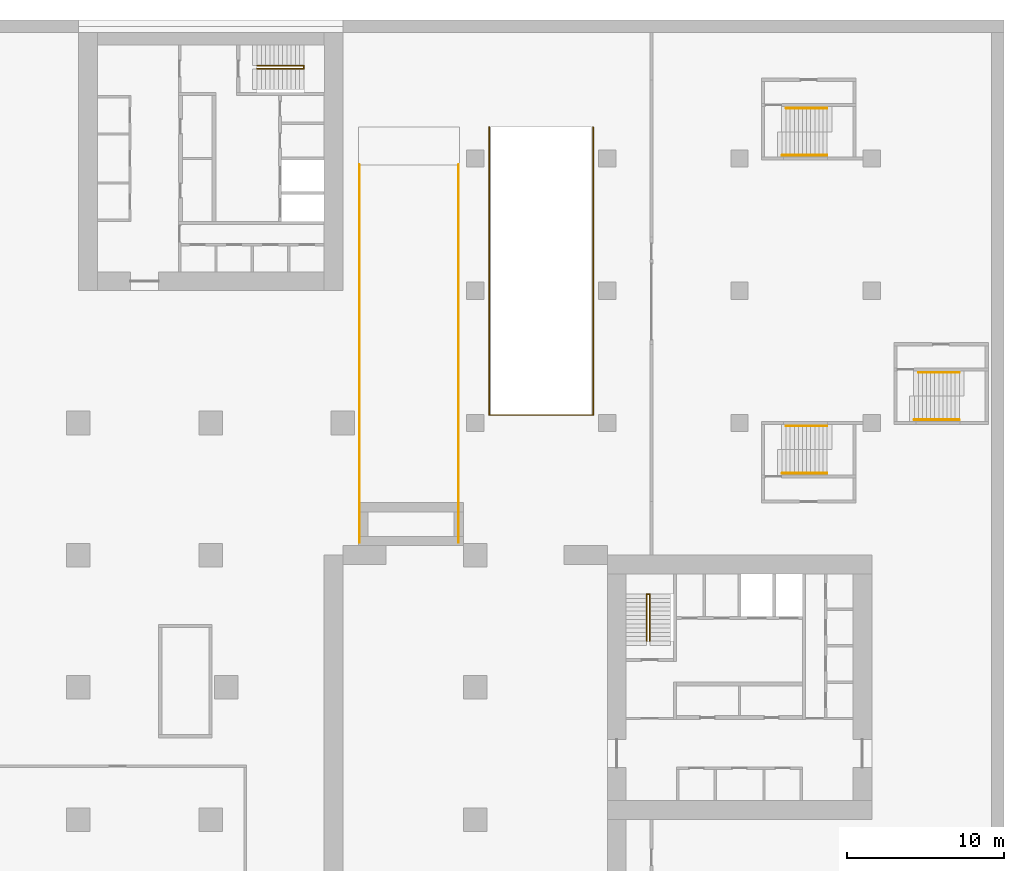
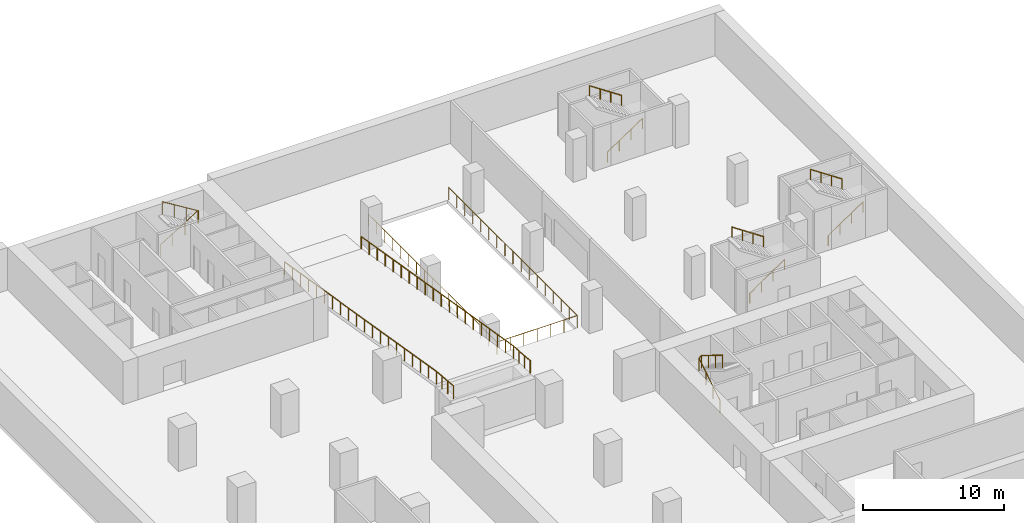
# One storey, part 7 of 7: 13 railings.
"""IFC4 building model written with IfcOpenShell, lengths in metres."""

from ifc_helpers import new_model, si_unit, direction, frame, origin, origin_2d, place, context, subcontext, project, spatial, circle, extrude, material, type_object, element, save


model = new_model("IFC4")

# Units and contexts
model_context = context("Model", 3, precision=1e-05, world=origin(), true_north=direction((0.0, 1.0)))
body_context = subcontext(model_context, "Body", "Model", "MODEL_VIEW")
ifc_project = project(units=[si_unit("LENGTHUNIT", "METRE"), si_unit("AREAUNIT", "SQUARE_METRE"), si_unit("VOLUMEUNIT", "CUBIC_METRE"), si_unit("PLANEANGLEUNIT", "RADIAN"), si_unit("MASSUNIT", "GRAM", prefix="KILO")], contexts=[model_context])

# Site, building, storey
site_placement = place(None, origin())
site = spatial("IfcSite", under=ifc_project, at=site_placement, CompositionType="ELEMENT")
building_placement = place(site_placement, origin())
building = spatial("IfcBuilding", under=site, at=building_placement, Name="Vermilion Gate Residences", CompositionType="ELEMENT")
storey_placement = place(building_placement, frame((0.0, 0.0, -12.0)))
storey = spatial("IfcBuildingStorey", under=building, at=storey_placement, Name="B3", CompositionType="ELEMENT", Elevation=-12.0)

# Railings
ifc_material_1 = material(Name="Steel", Category="steel")
railing_type_1 = type_object("IfcRailingType", Name="RAMP GUARD 1100 (AMENITY)", PredefinedType="GUARDRAIL", material=ifc_material_1)
for number, where, name in (
    (1, (26.25, 26.0, 4.0), "Ramp 3 guard west"),
    (2, (32.550048828125, 26.0, 4.0), "Ramp 3 guard east"),
):
    element("IfcRailing", number, at=place(storey_placement, frame(where)), inside=storey, type_object=railing_type_1, Name=name, PredefinedType="GUARDRAIL", context=body_context, shape_type="SweptSolid", body=[
        extrude(circle(Radius=0.02392578125, at=origin_2d()), frame((0.0, 0.0, 1.076171875), z_axis=(0.0, 0.996547156423, -0.083028700011), x_axis=(-1.0, 0.0, 0.0)), (0.0, 0.0, 1.0), 2.408203125),
        extrude(circle(Radius=0.02099609375, at=origin_2d()), origin(), (0.0, 0.0, 1.0), 1.052001953125),
        extrude(circle(Radius=0.02099609375, at=origin_2d()), frame((0.0, 0.800048828125, -0.066650390625)), (0.0, 0.0, 1.0), 1.052001953125),
        extrude(circle(Radius=0.02099609375, at=origin_2d()), frame((0.0, 1.599853515625, -0.13330078125)), (0.0, 0.0, 1.0), 1.052001953125),
        extrude(circle(Radius=0.02099609375, at=origin_2d()), frame((0.0, 2.39990234375, -0.199951171875)), (0.0, 0.0, 1.0), 1.052001953125),
    ])
railing_1_placement = place(storey_placement, frame((26.25, 28.39990234375, 3.800048828125)))
element("IfcRailing", 3, at=railing_1_placement, inside=storey, type_object=railing_type_1, Name="Ramp 3 guard west", PredefinedType="GUARDRAIL", context=body_context, shape_type="SweptSolid", body=[
    extrude(circle(Radius=0.02392578125, at=origin_2d()), frame((0.0, 0.0, 1.076171875), z_axis=(0.0, 0.986393321179, -0.164402603184), x_axis=(-1.0, 0.0, 0.0)), (0.0, 0.0, 1.0), 21.89794921875),
    extrude(circle(Radius=0.02099609375, at=origin_2d()), origin(), (0.0, 0.0, 1.0), 1.052001953125),
    extrude(circle(Radius=0.02099609375, at=origin_2d()), frame((0.0, 1.136962890625, -0.189453125)), (0.0, 0.0, 1.0), 1.052001953125),
    extrude(circle(Radius=0.02099609375, at=origin_2d()), frame((0.0, 2.273681640625, -0.37890625)), (0.0, 0.0, 1.0), 1.052001953125),
    extrude(circle(Radius=0.02099609375, at=origin_2d()), frame((0.0, 3.41064453125, -0.568359375)), (0.0, 0.0, 1.0), 1.052001953125),
    extrude(circle(Radius=0.02099609375, at=origin_2d()), frame((0.0, 4.54736328125, -0.7578125)), (0.0, 0.0, 1.0), 1.052001953125),
    extrude(circle(Radius=0.02099609375, at=origin_2d()), frame((0.0, 5.684326171875, -0.947509765625)), (0.0, 0.0, 1.0), 1.052001953125),
    extrude(circle(Radius=0.02099609375, at=origin_2d()), frame((0.0, 6.821044921875, -1.136962890625)), (0.0, 0.0, 1.0), 1.052001953125),
    extrude(circle(Radius=0.02099609375, at=origin_2d()), frame((0.0, 7.9580078125, -1.326416015625)), (0.0, 0.0, 1.0), 1.052001953125),
    extrude(circle(Radius=0.02099609375, at=origin_2d()), frame((0.0, 9.0947265625, -1.515869140625)), (0.0, 0.0, 1.0), 1.052001953125),
    extrude(circle(Radius=0.02099609375, at=origin_2d()), frame((0.0, 10.231689453125, -1.705322265625)), (0.0, 0.0, 1.0), 1.052001953125),
    extrude(circle(Radius=0.02099609375, at=origin_2d()), frame((0.0, 11.368408203125, -1.894775390625)), (0.0, 0.0, 1.0), 1.052001953125),
    extrude(circle(Radius=0.02099609375, at=origin_2d()), frame((0.0, 12.50537109375, -2.084228515625)), (0.0, 0.0, 1.0), 1.052001953125),
    extrude(circle(Radius=0.02099609375, at=origin_2d()), frame((0.0, 13.64208984375, -2.273681640625)), (0.0, 0.0, 1.0), 1.052001953125),
    extrude(circle(Radius=0.02099609375, at=origin_2d()), frame((0.0, 14.779052734375, -2.463134765625)), (0.0, 0.0, 1.0), 1.052001953125),
    extrude(circle(Radius=0.02099609375, at=origin_2d()), frame((0.0, 15.915771484375, -2.652587890625)), (0.0, 0.0, 1.0), 1.052001953125),
    extrude(circle(Radius=0.02099609375, at=origin_2d()), frame((0.0, 17.052734375, -2.84228515625)), (0.0, 0.0, 1.0), 1.052001953125),
    extrude(circle(Radius=0.02099609375, at=origin_2d()), frame((0.0, 18.189453125, -3.03173828125)), (0.0, 0.0, 1.0), 1.052001953125),
    extrude(circle(Radius=0.02099609375, at=origin_2d()), frame((0.0, 19.326416015625, -3.22119140625)), (0.0, 0.0, 1.0), 1.052001953125),
    extrude(circle(Radius=0.02099609375, at=origin_2d()), frame((0.0, 20.463134765625, -3.41064453125)), (0.0, 0.0, 1.0), 1.052001953125),
    extrude(circle(Radius=0.02099609375, at=origin_2d()), frame((0.0, 21.60009765625, -3.60009765625)), (0.0, 0.0, 1.0), 1.052001953125),
])
railing_2_placement = place(storey_placement, frame((32.550048828125, 28.39990234375, 3.800048828125)))
element("IfcRailing", 4, at=railing_2_placement, inside=storey, type_object=railing_type_1, Name="Ramp 3 guard east", PredefinedType="GUARDRAIL", context=body_context, shape_type="SweptSolid", body=[
    extrude(circle(Radius=0.02392578125, at=origin_2d()), frame((0.0, 0.0, 1.076171875), z_axis=(0.0, 0.986393321179, -0.164402603184), x_axis=(-1.0, 0.0, 0.0)), (0.0, 0.0, 1.0), 21.89794921875),
    extrude(circle(Radius=0.02099609375, at=origin_2d()), origin(), (0.0, 0.0, 1.0), 1.052001953125),
    extrude(circle(Radius=0.02099609375, at=origin_2d()), frame((0.0, 1.136962890625, -0.189453125)), (0.0, 0.0, 1.0), 1.052001953125),
    extrude(circle(Radius=0.02099609375, at=origin_2d()), frame((0.0, 2.273681640625, -0.37890625)), (0.0, 0.0, 1.0), 1.052001953125),
    extrude(circle(Radius=0.02099609375, at=origin_2d()), frame((0.0, 3.41064453125, -0.568359375)), (0.0, 0.0, 1.0), 1.052001953125),
    extrude(circle(Radius=0.02099609375, at=origin_2d()), frame((0.0, 4.54736328125, -0.7578125)), (0.0, 0.0, 1.0), 1.052001953125),
    extrude(circle(Radius=0.02099609375, at=origin_2d()), frame((0.0, 5.684326171875, -0.947509765625)), (0.0, 0.0, 1.0), 1.052001953125),
    extrude(circle(Radius=0.02099609375, at=origin_2d()), frame((0.0, 6.821044921875, -1.136962890625)), (0.0, 0.0, 1.0), 1.052001953125),
    extrude(circle(Radius=0.02099609375, at=origin_2d()), frame((0.0, 7.9580078125, -1.326416015625)), (0.0, 0.0, 1.0), 1.052001953125),
    extrude(circle(Radius=0.02099609375, at=origin_2d()), frame((0.0, 9.0947265625, -1.515869140625)), (0.0, 0.0, 1.0), 1.052001953125),
    extrude(circle(Radius=0.02099609375, at=origin_2d()), frame((0.0, 10.231689453125, -1.705322265625)), (0.0, 0.0, 1.0), 1.052001953125),
    extrude(circle(Radius=0.02099609375, at=origin_2d()), frame((0.0, 11.368408203125, -1.894775390625)), (0.0, 0.0, 1.0), 1.052001953125),
    extrude(circle(Radius=0.02099609375, at=origin_2d()), frame((0.0, 12.50537109375, -2.084228515625)), (0.0, 0.0, 1.0), 1.052001953125),
    extrude(circle(Radius=0.02099609375, at=origin_2d()), frame((0.0, 13.64208984375, -2.273681640625)), (0.0, 0.0, 1.0), 1.052001953125),
    extrude(circle(Radius=0.02099609375, at=origin_2d()), frame((0.0, 14.779052734375, -2.463134765625)), (0.0, 0.0, 1.0), 1.052001953125),
    extrude(circle(Radius=0.02099609375, at=origin_2d()), frame((0.0, 15.915771484375, -2.652587890625)), (0.0, 0.0, 1.0), 1.052001953125),
    extrude(circle(Radius=0.02099609375, at=origin_2d()), frame((0.0, 17.052734375, -2.84228515625)), (0.0, 0.0, 1.0), 1.052001953125),
    extrude(circle(Radius=0.02099609375, at=origin_2d()), frame((0.0, 18.189453125, -3.03173828125)), (0.0, 0.0, 1.0), 1.052001953125),
    extrude(circle(Radius=0.02099609375, at=origin_2d()), frame((0.0, 19.326416015625, -3.22119140625)), (0.0, 0.0, 1.0), 1.052001953125),
    extrude(circle(Radius=0.02099609375, at=origin_2d()), frame((0.0, 20.463134765625, -3.41064453125)), (0.0, 0.0, 1.0), 1.052001953125),
    extrude(circle(Radius=0.02099609375, at=origin_2d()), frame((0.0, 21.60009765625, -3.60009765625)), (0.0, 0.0, 1.0), 1.052001953125),
])
railing_3_placement = place(storey_placement, frame((34.5, 52.39990234375, 0.0)))
element("IfcRailing", 5, at=railing_3_placement, inside=storey, type_object=railing_type_1, Name="Ramp 4 opening guard", PredefinedType="GUARDRAIL", context=body_context, shape_type="SweptSolid", body=[
    extrude(circle(Radius=0.02392578125, at=origin_2d()), frame((0.0, 0.0, 1.076171875), z_axis=(0.0, -1.0, 0.0), x_axis=(1.0, 0.0, 0.0)), (0.0, 0.0, 1.0), 18.2998046875),
    extrude(circle(Radius=0.02392578125, at=origin_2d()), frame((0.0, -18.2998046875, 1.076171875), z_axis=(1.0, 0.0, 0.0), x_axis=(0.0, 1.0, 0.0)), (0.0, 0.0, 1.0), 6.60009765625),
    extrude(circle(Radius=0.02392578125, at=origin_2d()), frame((6.60009765625, -18.2998046875, 1.076171875), z_axis=(0.0, 1.0, 0.0), x_axis=(-1.0, 0.0, 0.0)), (0.0, 0.0, 1.0), 18.2998046875),
    extrude(circle(Radius=0.02099609375, at=origin_2d()), origin(), (0.0, 0.0, 1.0), 1.052001953125),
    extrude(circle(Radius=0.02099609375, at=origin_2d()), frame((0.0, -1.143798828125, 0.0)), (0.0, 0.0, 1.0), 1.052001953125),
    extrude(circle(Radius=0.02099609375, at=origin_2d()), frame((0.0, -2.28759765625, 0.0)), (0.0, 0.0, 1.0), 1.052001953125),
    extrude(circle(Radius=0.02099609375, at=origin_2d()), frame((0.0, -3.43115234375, 0.0)), (0.0, 0.0, 1.0), 1.052001953125),
    extrude(circle(Radius=0.02099609375, at=origin_2d()), frame((0.0, -4.574951171875, 0.0)), (0.0, 0.0, 1.0), 1.052001953125),
    extrude(circle(Radius=0.02099609375, at=origin_2d()), frame((0.0, -5.71875, 0.0)), (0.0, 0.0, 1.0), 1.052001953125),
    extrude(circle(Radius=0.02099609375, at=origin_2d()), frame((0.0, -6.8623046875, 0.0)), (0.0, 0.0, 1.0), 1.052001953125),
    extrude(circle(Radius=0.02099609375, at=origin_2d()), frame((0.0, -8.006103515625, 0.0)), (0.0, 0.0, 1.0), 1.052001953125),
    extrude(circle(Radius=0.02099609375, at=origin_2d()), frame((0.0, -9.14990234375, 0.0)), (0.0, 0.0, 1.0), 1.052001953125),
    extrude(circle(Radius=0.02099609375, at=origin_2d()), frame((0.0, -10.293701171875, 0.0)), (0.0, 0.0, 1.0), 1.052001953125),
    extrude(circle(Radius=0.02099609375, at=origin_2d()), frame((0.0, -11.4375, 0.0)), (0.0, 0.0, 1.0), 1.052001953125),
    extrude(circle(Radius=0.02099609375, at=origin_2d()), frame((0.0, -12.5810546875, 0.0)), (0.0, 0.0, 1.0), 1.052001953125),
    extrude(circle(Radius=0.02099609375, at=origin_2d()), frame((0.0, -13.724853515625, 0.0)), (0.0, 0.0, 1.0), 1.052001953125),
    extrude(circle(Radius=0.02099609375, at=origin_2d()), frame((0.0, -14.86865234375, 0.0)), (0.0, 0.0, 1.0), 1.052001953125),
    extrude(circle(Radius=0.02099609375, at=origin_2d()), frame((0.0, -16.01220703125, 0.0)), (0.0, 0.0, 1.0), 1.052001953125),
    extrude(circle(Radius=0.02099609375, at=origin_2d()), frame((0.0, -17.156005859375, 0.0)), (0.0, 0.0, 1.0), 1.052001953125),
    extrude(circle(Radius=0.02099609375, at=origin_2d()), frame((0.0, -18.2998046875, 0.0)), (0.0, 0.0, 1.0), 1.052001953125),
    extrude(circle(Radius=0.02099609375, at=origin_2d()), frame((1.10009765625, -18.2998046875, 0.0)), (0.0, 0.0, 1.0), 1.052001953125),
    extrude(circle(Radius=0.02099609375, at=origin_2d()), frame((2.199951171875, -18.2998046875, 0.0)), (0.0, 0.0, 1.0), 1.052001953125),
    extrude(circle(Radius=0.02099609375, at=origin_2d()), frame((3.300048828125, -18.2998046875, 0.0)), (0.0, 0.0, 1.0), 1.052001953125),
    extrude(circle(Radius=0.02099609375, at=origin_2d()), frame((4.400146484375, -18.2998046875, 0.0)), (0.0, 0.0, 1.0), 1.052001953125),
    extrude(circle(Radius=0.02099609375, at=origin_2d()), frame((5.5, -18.2998046875, 0.0)), (0.0, 0.0, 1.0), 1.052001953125),
    extrude(circle(Radius=0.02099609375, at=origin_2d()), frame((6.60009765625, -18.2998046875, 0.0)), (0.0, 0.0, 1.0), 1.052001953125),
    extrude(circle(Radius=0.02099609375, at=origin_2d()), frame((6.60009765625, -17.156005859375, 0.0)), (0.0, 0.0, 1.0), 1.052001953125),
    extrude(circle(Radius=0.02099609375, at=origin_2d()), frame((6.60009765625, -16.01220703125, 0.0)), (0.0, 0.0, 1.0), 1.052001953125),
    extrude(circle(Radius=0.02099609375, at=origin_2d()), frame((6.60009765625, -14.86865234375, 0.0)), (0.0, 0.0, 1.0), 1.052001953125),
    extrude(circle(Radius=0.02099609375, at=origin_2d()), frame((6.60009765625, -13.724853515625, 0.0)), (0.0, 0.0, 1.0), 1.052001953125),
    extrude(circle(Radius=0.02099609375, at=origin_2d()), frame((6.60009765625, -12.5810546875, 0.0)), (0.0, 0.0, 1.0), 1.052001953125),
    extrude(circle(Radius=0.02099609375, at=origin_2d()), frame((6.60009765625, -11.4375, 0.0)), (0.0, 0.0, 1.0), 1.052001953125),
    extrude(circle(Radius=0.02099609375, at=origin_2d()), frame((6.60009765625, -10.293701171875, 0.0)), (0.0, 0.0, 1.0), 1.052001953125),
    extrude(circle(Radius=0.02099609375, at=origin_2d()), frame((6.60009765625, -9.14990234375, 0.0)), (0.0, 0.0, 1.0), 1.052001953125),
    extrude(circle(Radius=0.02099609375, at=origin_2d()), frame((6.60009765625, -8.006103515625, 0.0)), (0.0, 0.0, 1.0), 1.052001953125),
    extrude(circle(Radius=0.02099609375, at=origin_2d()), frame((6.60009765625, -6.8623046875, 0.0)), (0.0, 0.0, 1.0), 1.052001953125),
    extrude(circle(Radius=0.02099609375, at=origin_2d()), frame((6.60009765625, -5.71875, 0.0)), (0.0, 0.0, 1.0), 1.052001953125),
    extrude(circle(Radius=0.02099609375, at=origin_2d()), frame((6.60009765625, -4.574951171875, 0.0)), (0.0, 0.0, 1.0), 1.052001953125),
    extrude(circle(Radius=0.02099609375, at=origin_2d()), frame((6.60009765625, -3.43115234375, 0.0)), (0.0, 0.0, 1.0), 1.052001953125),
    extrude(circle(Radius=0.02099609375, at=origin_2d()), frame((6.60009765625, -2.28759765625, 0.0)), (0.0, 0.0, 1.0), 1.052001953125),
    extrude(circle(Radius=0.02099609375, at=origin_2d()), frame((6.60009765625, -1.143798828125, 0.0)), (0.0, 0.0, 1.0), 1.052001953125),
    extrude(circle(Radius=0.02099609375, at=origin_2d()), frame((6.60009765625, 0.0, 0.0)), (0.0, 0.0, 1.0), 1.052001953125),
])
ifc_material_2 = material(Name="Steel S355", Category="steel")
railing_type_2 = type_object("IfcRailingType", Name="STAIR GUARD 1100 STEEL", PredefinedType="GUARDRAIL", material=ifc_material_2)
railing_4_placement = place(storey_placement, frame((44.5, 19.75, 0.166748046875)))
element("IfcRailing", 6, at=railing_4_placement, inside=storey, type_object=railing_type_2, Name="Stair well guard STA1-B3", PredefinedType="GUARDRAIL", context=body_context, shape_type="SweptSolid", body=[
    extrude(circle(Radius=0.02392578125, at=origin_2d()), frame((0.0, 0.0, 1.076171875), z_axis=(0.0, 0.85094421596, 0.525256072145), x_axis=(-1.0, 0.0, 0.0)), (0.0, 0.0, 1.0), 3.490234375),
    extrude(circle(Radius=0.02392578125, at=origin_2d()), frame((0.0, 2.969970703125, 2.9091796875), z_axis=(0.767990643491, 0.0, 0.640461061666), x_axis=(0.0, 1.0, 0.0)), (0.0, 0.0, 1.0), 0.26025390625),
    extrude(circle(Radius=0.02392578125, at=origin_2d()), frame((0.199951171875, 2.969970703125, 3.076171875), z_axis=(0.0, -0.85094421596, 0.525256072145), x_axis=(1.0, 0.0, 0.0)), (0.0, 0.0, 1.0), 3.490234375),
    extrude(circle(Radius=0.02099609375, at=origin_2d()), origin(), (0.0, 0.0, 1.0), 1.052001953125),
    extrude(circle(Radius=0.02099609375, at=origin_2d()), frame((0.0, 0.989990234375, 0.611083984375)), (0.0, 0.0, 1.0), 1.052001953125),
    extrude(circle(Radius=0.02099609375, at=origin_2d()), frame((0.0, 1.97998046875, 1.22216796875)), (0.0, 0.0, 1.0), 1.052001953125),
    extrude(circle(Radius=0.02099609375, at=origin_2d()), frame((0.0, 2.969970703125, 1.833251953125)), (0.0, 0.0, 1.0), 1.052001953125),
    extrude(circle(Radius=0.02099609375, at=origin_2d()), frame((0.199951171875, 2.969970703125, 2.0)), (0.0, 0.0, 1.0), 1.052001953125),
    extrude(circle(Radius=0.02099609375, at=origin_2d()), frame((0.199951171875, 1.97998046875, 2.611083984375)), (0.0, 0.0, 1.0), 1.052001953125),
    extrude(circle(Radius=0.02099609375, at=origin_2d()), frame((0.199951171875, 0.989990234375, 3.22216796875)), (0.0, 0.0, 1.0), 1.052001953125),
    extrude(circle(Radius=0.02099609375, at=origin_2d()), frame((0.199951171875, 0.0, 3.833251953125)), (0.0, 0.0, 1.0), 1.052001953125),
])
railing_5_placement = place(storey_placement, frame((19.75, 56.300048828125, 0.166748046875)))
element("IfcRailing", 7, at=railing_5_placement, inside=storey, type_object=railing_type_2, Name="Stair well guard STB1-B3", PredefinedType="GUARDRAIL", context=body_context, shape_type="SweptSolid", body=[
    extrude(circle(Radius=0.02392578125, at=origin_2d()), frame((0.0, 0.0, 1.076171875), z_axis=(0.85094421596, 0.0, 0.525256072145), x_axis=(0.0, 1.0, 0.0)), (0.0, 0.0, 1.0), 3.490234375),
    extrude(circle(Radius=0.02392578125, at=origin_2d()), frame((2.969970703125, 0.0, 2.9091796875), z_axis=(0.0, -0.767990643491, 0.640461061666), x_axis=(1.0, 0.0, 0.0)), (0.0, 0.0, 1.0), 0.26025390625),
    extrude(circle(Radius=0.02392578125, at=origin_2d()), frame((2.969970703125, -0.199951171875, 3.076171875), z_axis=(-0.85094421596, 0.0, 0.525256072145), x_axis=(0.0, -1.0, 0.0)), (0.0, 0.0, 1.0), 3.490234375),
    extrude(circle(Radius=0.02099609375, at=origin_2d()), origin(), (0.0, 0.0, 1.0), 1.052001953125),
    extrude(circle(Radius=0.02099609375, at=origin_2d()), frame((0.989990234375, 0.0, 0.611083984375)), (0.0, 0.0, 1.0), 1.052001953125),
    extrude(circle(Radius=0.02099609375, at=origin_2d()), frame((1.97998046875, 0.0, 1.22216796875)), (0.0, 0.0, 1.0), 1.052001953125),
    extrude(circle(Radius=0.02099609375, at=origin_2d()), frame((2.969970703125, 0.0, 1.833251953125)), (0.0, 0.0, 1.0), 1.052001953125),
    extrude(circle(Radius=0.02099609375, at=origin_2d()), frame((2.969970703125, -0.199951171875, 2.0)), (0.0, 0.0, 1.0), 1.052001953125),
    extrude(circle(Radius=0.02099609375, at=origin_2d()), frame((1.97998046875, -0.199951171875, 2.611083984375)), (0.0, 0.0, 1.0), 1.052001953125),
    extrude(circle(Radius=0.02099609375, at=origin_2d()), frame((0.989990234375, -0.199951171875, 3.22216796875)), (0.0, 0.0, 1.0), 1.052001953125),
    extrude(circle(Radius=0.02099609375, at=origin_2d()), frame((0.0, -0.199951171875, 3.833251953125)), (0.0, 0.0, 1.0), 1.052001953125),
])
ifc_material_3 = material(Name="Steel", Category="steel")
railing_type_3 = type_object("IfcRailingType", Name="STAIR HANDRAIL 900 (AMENITY)", PredefinedType="HANDRAIL", material=ifc_material_3)
railing_6_placement = place(storey_placement, frame((53.10009765625, 30.39990234375, 0.173828125)))
element("IfcRailing", 8, at=railing_6_placement, inside=storey, type_object=railing_type_3, Name="Stair handrail", PredefinedType="HANDRAIL", context=body_context, shape_type="SweptSolid", body=[
    extrude(circle(Radius=0.02392578125, at=origin_2d()), frame((0.0, 0.0, 0.8759765625), z_axis=(0.831175961304, 0.0, 0.556009461565), x_axis=(0.0, 1.0, 0.0)), (0.0, 0.0, 1.0), 3.440673828125),
    extrude(circle(Radius=0.02099609375, at=origin_2d()), origin(), (0.0, 0.0, 1.0), 0.851806640625),
    extrude(circle(Radius=0.02099609375, at=origin_2d()), frame((0.953369140625, 0.0, 0.6376953125)), (0.0, 0.0, 1.0), 0.851806640625),
    extrude(circle(Radius=0.02099609375, at=origin_2d()), frame((1.906494140625, 0.0, 1.275390625)), (0.0, 0.0, 1.0), 0.851806640625),
    extrude(circle(Radius=0.02099609375, at=origin_2d()), frame((2.85986328125, 0.0, 1.9130859375)), (0.0, 0.0, 1.0), 0.851806640625),
])
railing_7_placement = place(storey_placement, frame((55.9599609375, 33.39990234375, 2.260986328125)))
element("IfcRailing", 9, at=railing_7_placement, inside=storey, type_object=railing_type_3, Name="Stair handrail", PredefinedType="HANDRAIL", context=body_context, shape_type="SweptSolid", body=[
    extrude(circle(Radius=0.02392578125, at=origin_2d()), frame((0.0, 0.0, 0.8759765625), z_axis=(-0.831196721983, 0.0, 0.555978425269), x_axis=(0.0, -1.0, 0.0)), (0.0, 0.0, 1.0), 3.1279296875),
    extrude(circle(Radius=0.02099609375, at=origin_2d()), origin(), (0.0, 0.0, 1.0), 0.851806640625),
    extrude(circle(Radius=0.02099609375, at=origin_2d()), frame((-0.86669921875, 0.0, 0.57958984375)), (0.0, 0.0, 1.0), 0.851806640625),
    extrude(circle(Radius=0.02099609375, at=origin_2d()), frame((-1.733154296875, 0.0, 1.159423828125)), (0.0, 0.0, 1.0), 0.851806640625),
    extrude(circle(Radius=0.02099609375, at=origin_2d()), frame((-2.599853515625, 0.0, 1.739013671875)), (0.0, 0.0, 1.0), 0.851806640625),
])
railing_8_placement = place(storey_placement, frame((53.10009765625, 50.60009765625, 0.173828125)))
element("IfcRailing", 10, at=railing_8_placement, inside=storey, type_object=railing_type_3, Name="Stair handrail", PredefinedType="HANDRAIL", context=body_context, shape_type="SweptSolid", body=[
    extrude(circle(Radius=0.02392578125, at=origin_2d()), frame((0.0, 0.0, 0.8759765625), z_axis=(0.831175961304, 0.0, 0.556009461565), x_axis=(0.0, 1.0, 0.0)), (0.0, 0.0, 1.0), 3.440673828125),
    extrude(circle(Radius=0.02099609375, at=origin_2d()), origin(), (0.0, 0.0, 1.0), 0.851806640625),
    extrude(circle(Radius=0.02099609375, at=origin_2d()), frame((0.953369140625, 0.0, 0.6376953125)), (0.0, 0.0, 1.0), 0.851806640625),
    extrude(circle(Radius=0.02099609375, at=origin_2d()), frame((1.906494140625, 0.0, 1.275390625)), (0.0, 0.0, 1.0), 0.851806640625),
    extrude(circle(Radius=0.02099609375, at=origin_2d()), frame((2.85986328125, 0.0, 1.9130859375)), (0.0, 0.0, 1.0), 0.851806640625),
])
railing_9_placement = place(storey_placement, frame((55.9599609375, 53.60009765625, 2.260986328125)))
element("IfcRailing", 11, at=railing_9_placement, inside=storey, type_object=railing_type_3, Name="Stair handrail", PredefinedType="HANDRAIL", context=body_context, shape_type="SweptSolid", body=[
    extrude(circle(Radius=0.02392578125, at=origin_2d()), frame((0.0, 0.0, 0.8759765625), z_axis=(-0.831196721983, 0.0, 0.555978425269), x_axis=(0.0, -1.0, 0.0)), (0.0, 0.0, 1.0), 3.1279296875),
    extrude(circle(Radius=0.02099609375, at=origin_2d()), origin(), (0.0, 0.0, 1.0), 0.851806640625),
    extrude(circle(Radius=0.02099609375, at=origin_2d()), frame((-0.86669921875, 0.0, 0.57958984375)), (0.0, 0.0, 1.0), 0.851806640625),
    extrude(circle(Radius=0.02099609375, at=origin_2d()), frame((-1.733154296875, 0.0, 1.159423828125)), (0.0, 0.0, 1.0), 0.851806640625),
    extrude(circle(Radius=0.02099609375, at=origin_2d()), frame((-2.599853515625, 0.0, 1.739013671875)), (0.0, 0.0, 1.0), 0.851806640625),
])
railing_10_placement = place(storey_placement, frame((61.5, 33.800048828125, 0.173828125)))
element("IfcRailing", 12, at=railing_10_placement, inside=storey, type_object=railing_type_3, Name="Stair handrail", PredefinedType="HANDRAIL", context=body_context, shape_type="SweptSolid", body=[
    extrude(circle(Radius=0.02392578125, at=origin_2d()), frame((0.0, 0.0, 0.8759765625), z_axis=(0.831197895095, 0.0, 0.555976671444), x_axis=(0.0, 1.0, 0.0)), (0.0, 0.0, 1.0), 3.44091796875),
    extrude(circle(Radius=0.02099609375, at=origin_2d()), origin(), (0.0, 0.0, 1.0), 0.851806640625),
    extrude(circle(Radius=0.02099609375, at=origin_2d()), frame((0.953369140625, 0.0, 0.6376953125)), (0.0, 0.0, 1.0), 0.851806640625),
    extrude(circle(Radius=0.02099609375, at=origin_2d()), frame((1.90673828125, 0.0, 1.275390625)), (0.0, 0.0, 1.0), 0.851806640625),
    extrude(circle(Radius=0.02099609375, at=origin_2d()), frame((2.860107421875, 0.0, 1.9130859375)), (0.0, 0.0, 1.0), 0.851806640625),
])
railing_11_placement = place(storey_placement, frame((64.360107421875, 36.800048828125, 2.260986328125)))
element("IfcRailing", 13, at=railing_11_placement, inside=storey, type_object=railing_type_3, Name="Stair handrail", PredefinedType="HANDRAIL", context=body_context, shape_type="SweptSolid", body=[
    extrude(circle(Radius=0.02392578125, at=origin_2d()), frame((0.0, 0.0, 0.8759765625), z_axis=(-0.831220847055, 0.0, 0.555942356204), x_axis=(0.0, -1.0, 0.0)), (0.0, 0.0, 1.0), 3.1279296875),
    extrude(circle(Radius=0.02099609375, at=origin_2d()), origin(), (0.0, 0.0, 1.0), 0.851806640625),
    extrude(circle(Radius=0.02099609375, at=origin_2d()), frame((-0.86669921875, 0.0, 0.57958984375)), (0.0, 0.0, 1.0), 0.851806640625),
    extrude(circle(Radius=0.02099609375, at=origin_2d()), frame((-1.7333984375, 0.0, 1.159423828125)), (0.0, 0.0, 1.0), 0.851806640625),
    extrude(circle(Radius=0.02099609375, at=origin_2d()), frame((-2.60009765625, 0.0, 1.739013671875)), (0.0, 0.0, 1.0), 0.851806640625),
])

save(model, "model.ifc")
